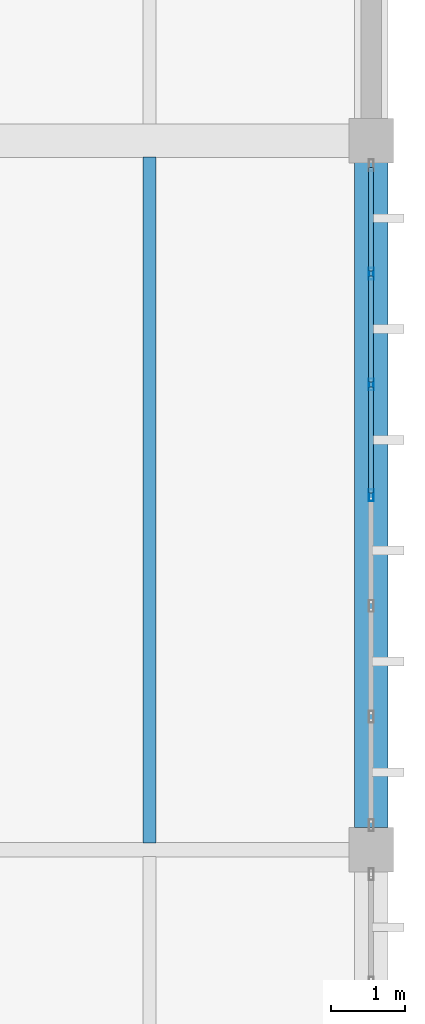
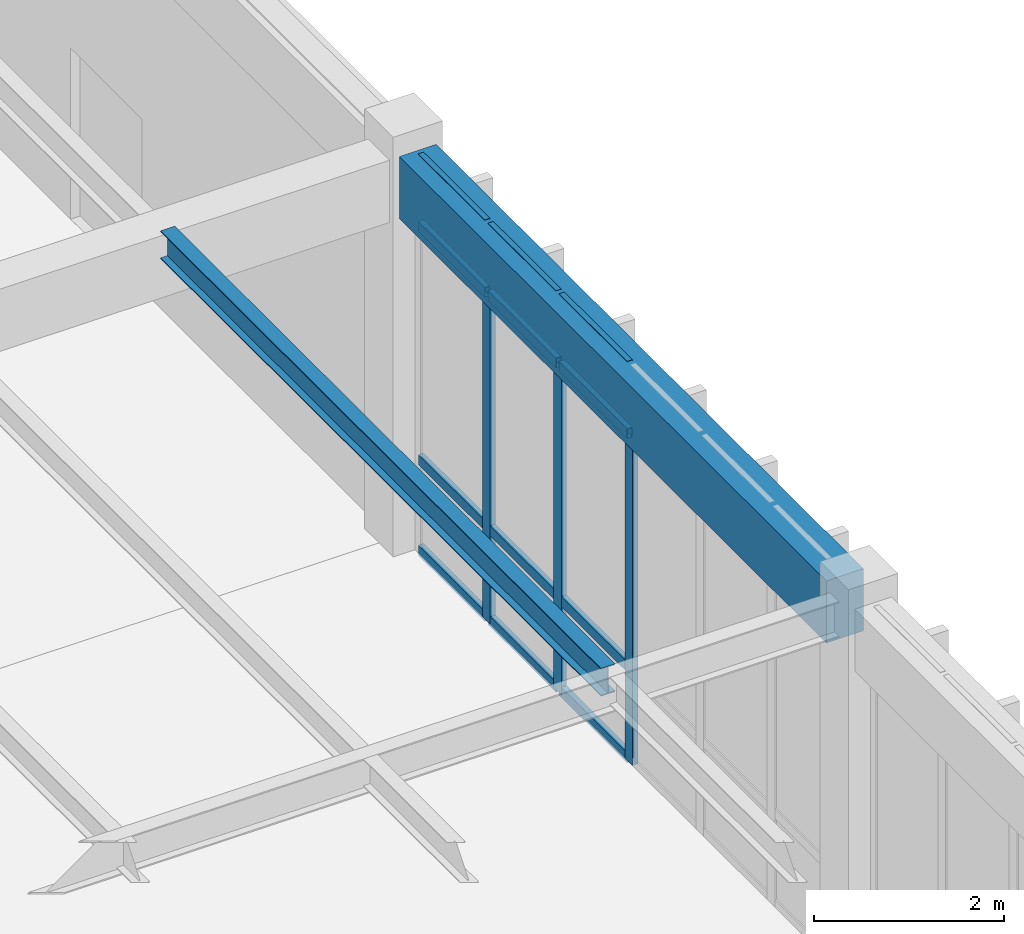
# One storey, part 122 of 188: 15 members, 2 beams, 1 element without a shape of its own.
"""IFC4 building model written with IfcOpenShell, lengths in metres."""

from ifc_helpers import new_model, si_unit, direction, frame, origin, origin_2d, place, context, subcontext, project, spatial, rectangle, hollow_rectangle, i_section, extrude, material, layer, layer_set, material_profile, profile_set, type_object, element, aggregate, save


model = new_model("IFC4")

# Units and contexts
model_context = context("Model", 3, precision=1e-05, world=origin(), true_north=direction((0.0, 1.0)))
body_context = subcontext(model_context, "Body", "Model", "MODEL_VIEW")
ifc_project = project(units=[si_unit("LENGTHUNIT", "METRE"), si_unit("AREAUNIT", "SQUARE_METRE"), si_unit("VOLUMEUNIT", "CUBIC_METRE"), si_unit("PLANEANGLEUNIT", "RADIAN"), si_unit("MASSUNIT", "GRAM", prefix="KILO")], contexts=[model_context])

# Site, building, storey
site_placement = place(None, origin())
site = spatial("IfcSite", under=ifc_project, at=site_placement, CompositionType="ELEMENT")
building_placement = place(site_placement, origin())
building = spatial("IfcBuilding", under=site, at=building_placement, Name="Pandanus Reach Market Hall", CompositionType="ELEMENT")
storey_placement = place(building_placement, origin())
storey = spatial("IfcBuildingStorey", under=building, at=storey_placement, Name="L00", CompositionType="ELEMENT", Elevation=0.0)

# Beam
ifc_material_1 = material(Name="Concrete N40 (40 MPa)", Category="concrete")
ifc_material_profile_1 = material_profile(ifc_material_1, rectangle(XDim=0.449951171875, YDim=0.800048828125, at=origin_2d()), Name="RC450x800", Category="LoadBearing")
ifc_profile_set_1 = profile_set([ifc_material_profile_1], Name="Concrete N40 (40 MPa)")
beam_type_1 = type_object("IfcBeamType", Name="BM-RC450-E", PredefinedType="SPANDREL", material=ifc_profile_set_1)
beam_1_placement = place(storey_placement, frame((180.0, 86.697998046875, 4.72509765625), z_axis=(0.0, 1.0, 0.0), x_axis=(-1.0, 0.0, 0.0)))
element("IfcBeam", 1, at=beam_1_placement, inside=storey, type_object=beam_type_1, Name="Framing beam BM-RC450-E L00.227", PredefinedType="SPANDREL", context=body_context, shape_type="SweptSolid", body=[
    extrude(rectangle(XDim=0.449951171875, YDim=0.800048828125, at=origin_2d()), origin(), (0.0, 0.0, 1.0), 9.00390625),
])

# Curtain wall, members
ifc_material_2 = material(Name="Bronze anodised aluminium and low-E glass", Category="aluminium")
ifc_layer = layer(ifc_material_2, 0.159912109375, Name="CW-25")
ifc_layer_set = layer_set([ifc_layer], Name="Bronze anodised aluminium and low-E glass")
curtain_wall_type = type_object("IfcCurtainWallType", Name="CW-25", PredefinedType="NOTDEFINED", material=ifc_layer_set)
curtain_wall_placement = place(storey_placement, origin())
curtain_wall = element("IfcCurtainWall", 2, at=curtain_wall_placement, inside=storey, type_object=curtain_wall_type, Name="Glazed curtain wall CW-25 CW-0074", PredefinedType="NOTDEFINED")
ifc_material_3 = material(Name="Bronze anodised aluminium", Category="aluminium")
ifc_material_profile_2 = material_profile(ifc_material_3, hollow_rectangle(XDim=0.06494140625, YDim=0.159912109375, WallThickness=0.00390625, at=origin_2d()), Name="ALU65x160", Category="LoadBearing")
ifc_profile_set_2 = profile_set([ifc_material_profile_2], Name="Bronze anodised aluminium")
member_type_1 = type_object("IfcMemberType", Name="CW-M1", PredefinedType="MULLION", material=ifc_profile_set_2)
member_1_placement = place(storey_placement, frame((180.0, 91.199951171875, 0.0), z_axis=(0.0, 0.0, 1.0), x_axis=(-1.0, 0.0, 0.0)))
member_1 = element("IfcMember", 3, at=member_1_placement, type_object=member_type_1, Name="CW-25 mullion 4", PredefinedType="MULLION", context=body_context, shape_type="SweptSolid", body=[
    extrude(hollow_rectangle(XDim=0.06494140625, YDim=0.159912109375, WallThickness=0.00390625, at=origin_2d()), origin(), (0.0, 0.0, 1.0), 5.10009765625),
])
member_2_placement = place(storey_placement, frame((180.0, 92.699951171875, 0.0), z_axis=(0.0, 0.0, 1.0), x_axis=(-1.0, 0.0, 0.0)))
member_2 = element("IfcMember", 4, at=member_2_placement, type_object=member_type_1, Name="CW-25 mullion 5", PredefinedType="MULLION", context=body_context, shape_type="SweptSolid", body=[
    extrude(hollow_rectangle(XDim=0.06494140625, YDim=0.159912109375, WallThickness=0.00390625, at=origin_2d()), origin(), (0.0, 0.0, 1.0), 5.10009765625),
])
member_3_placement = place(storey_placement, frame((180.0, 94.199951171875, 0.0), z_axis=(0.0, 0.0, 1.0), x_axis=(-1.0, 0.0, 0.0)))
member_3 = element("IfcMember", 5, at=member_3_placement, type_object=member_type_1, Name="CW-25 mullion 6", PredefinedType="MULLION", context=body_context, shape_type="SweptSolid", body=[
    extrude(hollow_rectangle(XDim=0.06494140625, YDim=0.159912109375, WallThickness=0.00390625, at=origin_2d()), origin(), (0.0, 0.0, 1.0), 5.10009765625),
])
ifc_material_profile_3 = material_profile(ifc_material_3, hollow_rectangle(XDim=0.06494140625, YDim=0.1298828125, WallThickness=0.00390625, at=origin_2d()), Name="ALU65x130", Category="LoadBearing")
ifc_profile_set_3 = profile_set([ifc_material_profile_3], Name="Bronze anodised aluminium")
member_type_2 = type_object("IfcMemberType", Name="CW-T1", PredefinedType="USERDEFINED", material=ifc_profile_set_3)
member_4_placement = place(storey_placement, frame((180.0, 91.232421875, 0.032470703125), z_axis=(0.0, 1.0, 0.0), x_axis=(-1.0, 0.0, 0.0)))
member_4 = element("IfcMember", 6, at=member_4_placement, type_object=member_type_2, Name="CW-25 transom 4.1", ObjectType="TRANSOM", PredefinedType="USERDEFINED", context=body_context, shape_type="SweptSolid", body=[
    extrude(hollow_rectangle(XDim=0.06494140625, YDim=0.1298828125, WallThickness=0.00390625, at=origin_2d()), origin(), (0.0, 0.0, 1.0), 1.43505859375),
])
member_5_placement = place(storey_placement, frame((180.0, 91.232421875, 1.199951171875), z_axis=(0.0, 1.0, 0.0), x_axis=(-1.0, 0.0, 0.0)))
member_5 = element("IfcMember", 7, at=member_5_placement, type_object=member_type_2, Name="CW-25 transom 4.2", ObjectType="TRANSOM", PredefinedType="USERDEFINED", context=body_context, shape_type="SweptSolid", body=[
    extrude(hollow_rectangle(XDim=0.06494140625, YDim=0.1298828125, WallThickness=0.00390625, at=origin_2d()), origin(), (0.0, 0.0, 1.0), 1.43505859375),
])
member_6_placement = place(storey_placement, frame((180.0, 91.232421875, 4.199951171875), z_axis=(0.0, 1.0, 0.0), x_axis=(-1.0, 0.0, 0.0)))
member_6 = element("IfcMember", 8, at=member_6_placement, type_object=member_type_2, Name="CW-25 transom 4.3", ObjectType="TRANSOM", PredefinedType="USERDEFINED", context=body_context, shape_type="SweptSolid", body=[
    extrude(hollow_rectangle(XDim=0.06494140625, YDim=0.1298828125, WallThickness=0.00390625, at=origin_2d()), origin(), (0.0, 0.0, 1.0), 1.43505859375),
])
member_7_placement = place(storey_placement, frame((180.0, 91.232421875, 5.0673828125), z_axis=(0.0, 1.0, 0.0), x_axis=(-1.0, 0.0, 0.0)))
member_7 = element("IfcMember", 9, at=member_7_placement, type_object=member_type_2, Name="CW-25 transom 4.4", ObjectType="TRANSOM", PredefinedType="USERDEFINED", context=body_context, shape_type="SweptSolid", body=[
    extrude(hollow_rectangle(XDim=0.06494140625, YDim=0.1298828125, WallThickness=0.00390625, at=origin_2d()), origin(), (0.0, 0.0, 1.0), 1.43505859375),
])
member_8_placement = place(storey_placement, frame((180.0, 92.732421875, 0.032470703125), z_axis=(0.0, 1.0, 0.0), x_axis=(-1.0, 0.0, 0.0)))
member_8 = element("IfcMember", 10, at=member_8_placement, type_object=member_type_2, Name="CW-25 transom 5.1", ObjectType="TRANSOM", PredefinedType="USERDEFINED", context=body_context, shape_type="SweptSolid", body=[
    extrude(hollow_rectangle(XDim=0.06494140625, YDim=0.1298828125, WallThickness=0.00390625, at=origin_2d()), origin(), (0.0, 0.0, 1.0), 1.43505859375),
])
member_9_placement = place(storey_placement, frame((180.0, 92.732421875, 1.199951171875), z_axis=(0.0, 1.0, 0.0), x_axis=(-1.0, 0.0, 0.0)))
member_9 = element("IfcMember", 11, at=member_9_placement, type_object=member_type_2, Name="CW-25 transom 5.2", ObjectType="TRANSOM", PredefinedType="USERDEFINED", context=body_context, shape_type="SweptSolid", body=[
    extrude(hollow_rectangle(XDim=0.06494140625, YDim=0.1298828125, WallThickness=0.00390625, at=origin_2d()), origin(), (0.0, 0.0, 1.0), 1.43505859375),
])
member_10_placement = place(storey_placement, frame((180.0, 92.732421875, 4.199951171875), z_axis=(0.0, 1.0, 0.0), x_axis=(-1.0, 0.0, 0.0)))
member_10 = element("IfcMember", 12, at=member_10_placement, type_object=member_type_2, Name="CW-25 transom 5.3", ObjectType="TRANSOM", PredefinedType="USERDEFINED", context=body_context, shape_type="SweptSolid", body=[
    extrude(hollow_rectangle(XDim=0.06494140625, YDim=0.1298828125, WallThickness=0.00390625, at=origin_2d()), origin(), (0.0, 0.0, 1.0), 1.43505859375),
])
member_11_placement = place(storey_placement, frame((180.0, 92.732421875, 5.0673828125), z_axis=(0.0, 1.0, 0.0), x_axis=(-1.0, 0.0, 0.0)))
member_11 = element("IfcMember", 13, at=member_11_placement, type_object=member_type_2, Name="CW-25 transom 5.4", ObjectType="TRANSOM", PredefinedType="USERDEFINED", context=body_context, shape_type="SweptSolid", body=[
    extrude(hollow_rectangle(XDim=0.06494140625, YDim=0.1298828125, WallThickness=0.00390625, at=origin_2d()), origin(), (0.0, 0.0, 1.0), 1.43505859375),
])
member_12_placement = place(storey_placement, frame((180.0, 94.232421875, 0.032470703125), z_axis=(0.0, 1.0, 0.0), x_axis=(-1.0, 0.0, 0.0)))
member_12 = element("IfcMember", 14, at=member_12_placement, type_object=member_type_2, Name="CW-25 transom 6.1", ObjectType="TRANSOM", PredefinedType="USERDEFINED", context=body_context, shape_type="SweptSolid", body=[
    extrude(hollow_rectangle(XDim=0.06494140625, YDim=0.1298828125, WallThickness=0.00390625, at=origin_2d()), origin(), (0.0, 0.0, 1.0), 1.402587890625),
])
member_13_placement = place(storey_placement, frame((180.0, 94.232421875, 1.199951171875), z_axis=(0.0, 1.0, 0.0), x_axis=(-1.0, 0.0, 0.0)))
member_13 = element("IfcMember", 15, at=member_13_placement, type_object=member_type_2, Name="CW-25 transom 6.2", ObjectType="TRANSOM", PredefinedType="USERDEFINED", context=body_context, shape_type="SweptSolid", body=[
    extrude(hollow_rectangle(XDim=0.06494140625, YDim=0.1298828125, WallThickness=0.00390625, at=origin_2d()), origin(), (0.0, 0.0, 1.0), 1.402587890625),
])
member_14_placement = place(storey_placement, frame((180.0, 94.232421875, 4.199951171875), z_axis=(0.0, 1.0, 0.0), x_axis=(-1.0, 0.0, 0.0)))
member_14 = element("IfcMember", 16, at=member_14_placement, type_object=member_type_2, Name="CW-25 transom 6.3", ObjectType="TRANSOM", PredefinedType="USERDEFINED", context=body_context, shape_type="SweptSolid", body=[
    extrude(hollow_rectangle(XDim=0.06494140625, YDim=0.1298828125, WallThickness=0.00390625, at=origin_2d()), origin(), (0.0, 0.0, 1.0), 1.402587890625),
])
member_15_placement = place(storey_placement, frame((180.0, 94.232421875, 5.0673828125), z_axis=(0.0, 1.0, 0.0), x_axis=(-1.0, 0.0, 0.0)))
member_15 = element("IfcMember", 17, at=member_15_placement, type_object=member_type_2, Name="CW-25 transom 6.4", ObjectType="TRANSOM", PredefinedType="USERDEFINED", context=body_context, shape_type="SweptSolid", body=[
    extrude(hollow_rectangle(XDim=0.06494140625, YDim=0.1298828125, WallThickness=0.00390625, at=origin_2d()), origin(), (0.0, 0.0, 1.0), 1.402587890625),
])
aggregate(curtain_wall, [member_1, member_2, member_3, member_4, member_5, member_6, member_7, member_8, member_9, member_10, member_11, member_12, member_13, member_14, member_15])

# Beam
ifc_material_4 = material(Name="Steel Grade 350 (350 MPa)", Category="steel")
ifc_material_profile_4 = material_profile(ifc_material_4, i_section(OverallWidth=0.172119140625, OverallDepth=0.35888671875, WebThickness=0.008056640625, FlangeThickness=0.012939453125, at=origin_2d()), Name="360UB56.7", Category="LoadBearing")
ifc_profile_set_4 = profile_set([ifc_material_profile_4], Name="Steel Grade 350 (350 MPa)")
beam_type_2 = type_object("IfcBeamType", Name="JS-UB360H-I", PredefinedType="JOIST", material=ifc_profile_set_4)
beam_2_placement = place(storey_placement, frame((177.0, 86.493408203125, 4.945068359375), z_axis=(0.0, 1.0, 0.0), x_axis=(-1.0, 0.0, 0.0)))
element("IfcBeam", 18, at=beam_2_placement, inside=storey, type_object=beam_type_2, Name="Secondary joist JS-UB360H-I L00.305", PredefinedType="JOIST", context=body_context, shape_type="SweptSolid", body=[
    extrude(i_section(OverallWidth=0.172119140625, OverallDepth=0.35888671875, WebThickness=0.008056640625, FlangeThickness=0.012939453125, at=origin_2d()), origin(), (0.0, 0.0, 1.0), 9.28369140625),
])

save(model, "model.ifc")
